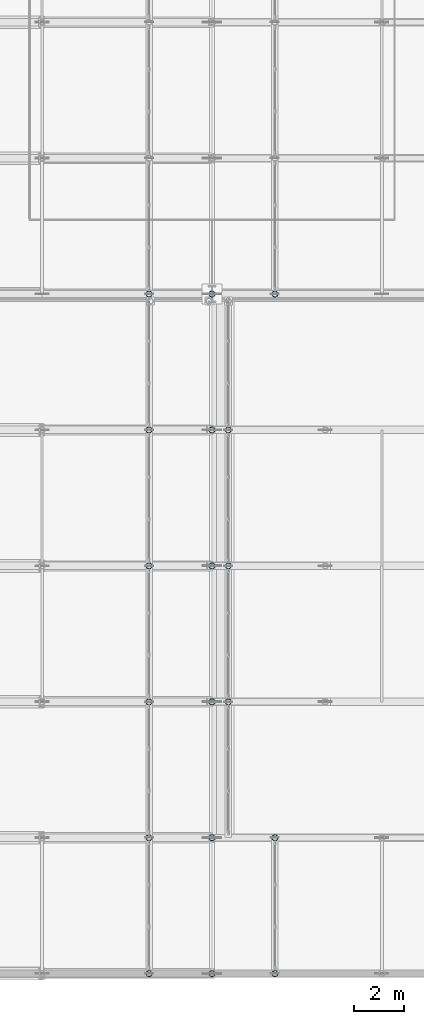
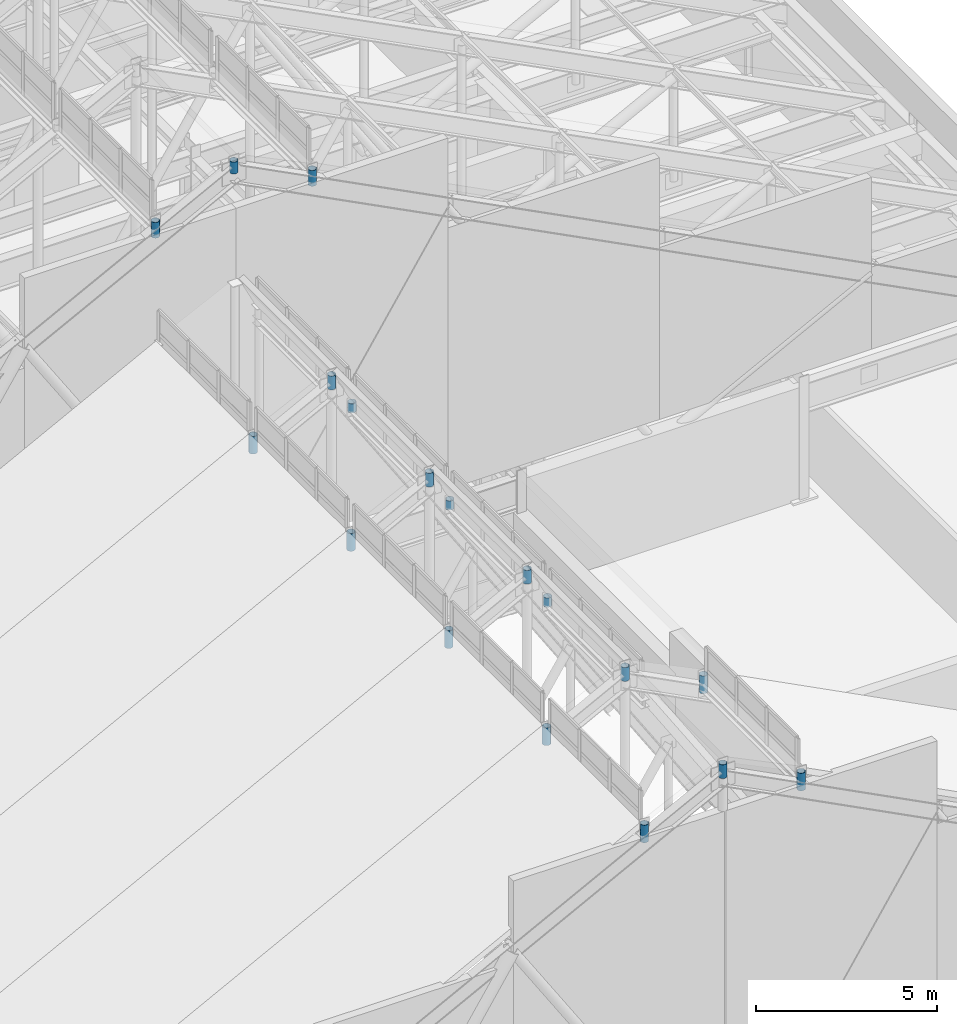
# One storey, part 66 of 84: 18 members.
"""IFC4 building model written with IfcOpenShell, lengths in metres."""

from ifc_helpers import new_model, si_unit, direction, frame, origin, origin_2d, place, context, subcontext, project, spatial, hollow_circle, extrude, material, material_profile, profile_set, type_object, element, save


model = new_model("IFC4")

# Units and contexts
model_context = context("Model", 3, precision=1e-05, world=origin(), true_north=direction((0.0, 1.0)))
body_context = subcontext(model_context, "Body", "Model", "MODEL_VIEW")
ifc_project = project(units=[si_unit("LENGTHUNIT", "METRE"), si_unit("AREAUNIT", "SQUARE_METRE"), si_unit("VOLUMEUNIT", "CUBIC_METRE"), si_unit("PLANEANGLEUNIT", "RADIAN"), si_unit("MASSUNIT", "GRAM", prefix="KILO")], contexts=[model_context])

# Site, building, storey
site_placement = place(None, origin())
site = spatial("IfcSite", under=ifc_project, at=site_placement, CompositionType="ELEMENT")
building_placement = place(site_placement, origin())
building = spatial("IfcBuilding", under=site, at=building_placement, Name="Sundgate Opera House", CompositionType="ELEMENT")
storey_placement = place(building_placement, frame((0.0, 0.0, 30.60009765625)))
storey = spatial("IfcBuildingStorey", under=building, at=storey_placement, Name="L06", CompositionType="ELEMENT", Elevation=30.60009765625)

# Members
ifc_material = material(Name="Steel S355J2", Category="steel")
ifc_material_profile = material_profile(ifc_material, hollow_circle(Radius=0.122314453125, WallThickness=0.012451171875, at=origin_2d()), Name="CHS 244.5x12.5")
ifc_profile_set = profile_set([ifc_material_profile], Name="Steel S355J2")
member_type = type_object("IfcMemberType", Name="MB-STRUT-CHS244", PredefinedType="STRUT", material=ifc_profile_set)
member_1_placement = place(storey_placement, frame((51.5, 33.0, 11.9072265625), z_axis=(0.0, 0.0, 1.0), x_axis=(1.0, 0.0, 0.0)))
element("IfcMember", 1, at=member_1_placement, inside=storey, type_object=member_type, Name="L06 Lantern Ridge Post MS017", PredefinedType="STRUT", context=body_context, shape_type="SweptSolid", body=[
    extrude(hollow_circle(Radius=0.122314453125, WallThickness=0.012451171875, at=origin_2d()), origin(), (0.0, 0.0, 1.0), 0.5927734375),
])
member_2_placement = place(storey_placement, frame((54.0, 33.0, 13.199951171875), z_axis=(0.0, 0.0, 1.0), x_axis=(1.0, 0.0, 0.0)))
element("IfcMember", 2, at=member_2_placement, inside=storey, type_object=member_type, Name="L06 Lantern Ridge Post MS018", PredefinedType="STRUT", context=body_context, shape_type="SweptSolid", body=[
    extrude(hollow_circle(Radius=0.122314453125, WallThickness=0.012451171875, at=origin_2d()), origin(), (0.0, 0.0, 1.0), 0.4599609375),
])
for number, where, z_axis, x_axis, name in (
    (3, (56.5, 33.0, 11.9072265625), (0.0, 0.0, 1.0), (1.0, 0.0, 0.0), "L06 Lantern Ridge Post MS019"),
    (4, (51.5, 38.39990234375, 11.9072265625), (0.0, 0.0, 1.0), (1.0, 0.0, 0.0), "L06 Lantern Ridge Post MS020"),
):
    element("IfcMember", number, at=place(storey_placement, frame(where, z_axis=z_axis, x_axis=x_axis)), inside=storey, type_object=member_type, Name=name, PredefinedType="STRUT", context=body_context, shape_type="SweptSolid", body=[
        extrude(hollow_circle(Radius=0.122314453125, WallThickness=0.012451171875, at=origin_2d()), origin(), (0.0, 0.0, 1.0), 0.5927734375),
    ])
member_3_placement = place(storey_placement, frame((54.0, 38.39990234375, 13.199951171875), z_axis=(0.0, 0.0, 1.0), x_axis=(1.0, 0.0, 0.0)))
element("IfcMember", 5, at=member_3_placement, inside=storey, type_object=member_type, Name="L06 Lantern Ridge Post MS021", PredefinedType="STRUT", context=body_context, shape_type="SweptSolid", body=[
    extrude(hollow_circle(Radius=0.122314453125, WallThickness=0.012451171875, at=origin_2d()), origin(), (0.0, 0.0, 1.0), 0.4599609375),
])
for number, where, z_axis, x_axis, name in (
    (6, (56.5, 38.39990234375, 11.9072265625), (0.0, 0.0, 1.0), (1.0, 0.0, 0.0), "L06 Lantern Ridge Post MS022"),
    (7, (51.5, 43.800048828125, 11.9072265625), (0.0, 0.0, 1.0), (1.0, 0.0, 0.0), "L06 Lantern Ridge Post MS023"),
):
    element("IfcMember", number, at=place(storey_placement, frame(where, z_axis=z_axis, x_axis=x_axis)), inside=storey, type_object=member_type, Name=name, PredefinedType="STRUT", context=body_context, shape_type="SweptSolid", body=[
        extrude(hollow_circle(Radius=0.122314453125, WallThickness=0.012451171875, at=origin_2d()), origin(), (0.0, 0.0, 1.0), 0.5927734375),
    ])
member_4_placement = place(storey_placement, frame((54.0, 43.800048828125, 13.199951171875), z_axis=(0.0, 0.0, 1.0), x_axis=(1.0, 0.0, 0.0)))
element("IfcMember", 8, at=member_4_placement, inside=storey, type_object=member_type, Name="L06 Lantern Ridge Post MS024", PredefinedType="STRUT", context=body_context, shape_type="SweptSolid", body=[
    extrude(hollow_circle(Radius=0.122314453125, WallThickness=0.012451171875, at=origin_2d()), origin(), (0.0, 0.0, 1.0), 0.4599609375),
])
member_5_placement = place(storey_placement, frame((54.64990234375, 43.800048828125, 12.191650390625), z_axis=(0.0, 0.0, 1.0), x_axis=(1.0, 0.0, 0.0)))
element("IfcMember", 9, at=member_5_placement, inside=storey, type_object=member_type, Name="L06 Lantern Ridge Post MS025", PredefinedType="STRUT", context=body_context, shape_type="SweptSolid", body=[
    extrude(hollow_circle(Radius=0.122314453125, WallThickness=0.012451171875, at=origin_2d()), origin(), (0.0, 0.0, 1.0), 0.308349609375),
])
member_6_placement = place(storey_placement, frame((51.5, 49.199951171875, 11.9072265625), z_axis=(0.0, 0.0, 1.0), x_axis=(1.0, 0.0, 0.0)))
element("IfcMember", 10, at=member_6_placement, inside=storey, type_object=member_type, Name="L06 Lantern Ridge Post MS026", PredefinedType="STRUT", context=body_context, shape_type="SweptSolid", body=[
    extrude(hollow_circle(Radius=0.122314453125, WallThickness=0.012451171875, at=origin_2d()), origin(), (0.0, 0.0, 1.0), 0.5927734375),
])
member_7_placement = place(storey_placement, frame((54.0, 49.199951171875, 13.199951171875), z_axis=(0.0, 0.0, 1.0), x_axis=(1.0, 0.0, 0.0)))
element("IfcMember", 11, at=member_7_placement, inside=storey, type_object=member_type, Name="L06 Lantern Ridge Post MS027", PredefinedType="STRUT", context=body_context, shape_type="SweptSolid", body=[
    extrude(hollow_circle(Radius=0.122314453125, WallThickness=0.012451171875, at=origin_2d()), origin(), (0.0, 0.0, 1.0), 0.4599609375),
])
member_8_placement = place(storey_placement, frame((54.64990234375, 49.199951171875, 12.191650390625), z_axis=(0.0, 0.0, 1.0), x_axis=(1.0, 0.0, 0.0)))
element("IfcMember", 12, at=member_8_placement, inside=storey, type_object=member_type, Name="L06 Lantern Ridge Post MS028", PredefinedType="STRUT", context=body_context, shape_type="SweptSolid", body=[
    extrude(hollow_circle(Radius=0.122314453125, WallThickness=0.012451171875, at=origin_2d()), origin(), (0.0, 0.0, 1.0), 0.308349609375),
])
member_9_placement = place(storey_placement, frame((51.5, 54.60009765625, 11.9072265625), z_axis=(0.0, 0.0, 1.0), x_axis=(1.0, 0.0, 0.0)))
element("IfcMember", 13, at=member_9_placement, inside=storey, type_object=member_type, Name="L06 Lantern Ridge Post MS029", PredefinedType="STRUT", context=body_context, shape_type="SweptSolid", body=[
    extrude(hollow_circle(Radius=0.122314453125, WallThickness=0.012451171875, at=origin_2d()), origin(), (0.0, 0.0, 1.0), 0.5927734375),
])
member_10_placement = place(storey_placement, frame((54.0, 54.60009765625, 13.199951171875), z_axis=(0.0, 0.0, 1.0), x_axis=(1.0, 0.0, 0.0)))
element("IfcMember", 14, at=member_10_placement, inside=storey, type_object=member_type, Name="L06 Lantern Ridge Post MS030", PredefinedType="STRUT", context=body_context, shape_type="SweptSolid", body=[
    extrude(hollow_circle(Radius=0.122314453125, WallThickness=0.012451171875, at=origin_2d()), origin(), (0.0, 0.0, 1.0), 0.4599609375),
])
member_11_placement = place(storey_placement, frame((54.64990234375, 54.60009765625, 12.191650390625), z_axis=(0.0, 0.0, 1.0), x_axis=(1.0, 0.0, 0.0)))
element("IfcMember", 15, at=member_11_placement, inside=storey, type_object=member_type, Name="L06 Lantern Ridge Post MS031", PredefinedType="STRUT", context=body_context, shape_type="SweptSolid", body=[
    extrude(hollow_circle(Radius=0.122314453125, WallThickness=0.012451171875, at=origin_2d()), origin(), (0.0, 0.0, 1.0), 0.308349609375),
])
member_12_placement = place(storey_placement, frame((51.5, 60.0, 15.911865234375), z_axis=(0.0, 0.0, 1.0), x_axis=(1.0, 0.0, 0.0)))
element("IfcMember", 16, at=member_12_placement, inside=storey, type_object=member_type, Name="L06 Lantern Ridge Post MS032", PredefinedType="STRUT", context=body_context, shape_type="SweptSolid", body=[
    extrude(hollow_circle(Radius=0.122314453125, WallThickness=0.012451171875, at=origin_2d()), origin(), (0.0, 0.0, 1.0), 0.528076171875),
])
member_13_placement = place(storey_placement, frame((54.0, 60.0, 17.199951171875), z_axis=(0.0, 0.0, 1.0), x_axis=(1.0, 0.0, 0.0)))
element("IfcMember", 17, at=member_13_placement, inside=storey, type_object=member_type, Name="L06 Lantern Ridge Post MS033", PredefinedType="STRUT", context=body_context, shape_type="SweptSolid", body=[
    extrude(hollow_circle(Radius=0.122314453125, WallThickness=0.012451171875, at=origin_2d()), origin(), (0.0, 0.0, 1.0), 0.39990234375),
])
member_14_placement = place(storey_placement, frame((56.5, 60.0, 15.911865234375), z_axis=(0.0, 0.0, 1.0), x_axis=(1.0, 0.0, 0.0)))
element("IfcMember", 18, at=member_14_placement, inside=storey, type_object=member_type, Name="L06 Lantern Ridge Post MS034", PredefinedType="STRUT", context=body_context, shape_type="SweptSolid", body=[
    extrude(hollow_circle(Radius=0.122314453125, WallThickness=0.012451171875, at=origin_2d()), origin(), (0.0, 0.0, 1.0), 0.528076171875),
])

save(model, "model.ifc")
